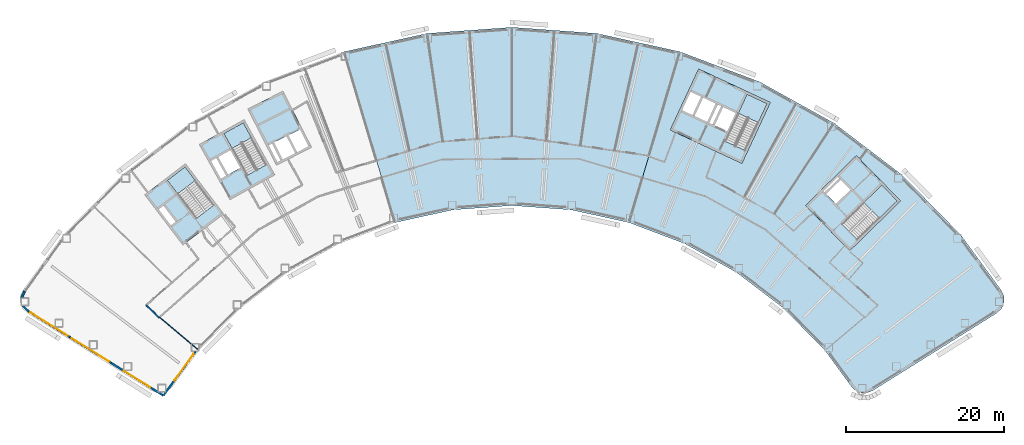
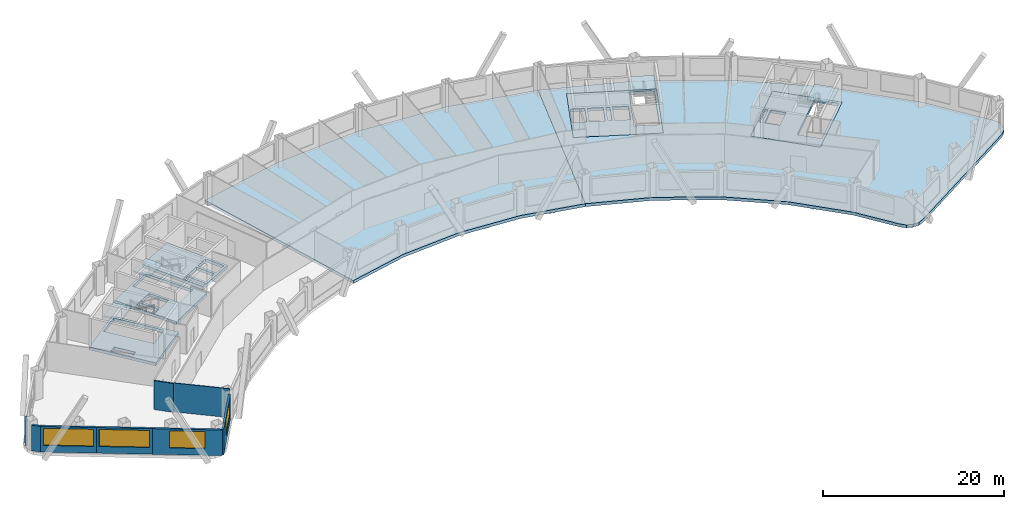
# One storey, part 2 of 11: 11 slabs, 8 walls, 4 windows, 4 openings, 4 elements without a shape of their own.
"""IFC4 building model written with IfcOpenShell, lengths in metres."""

from ifc_helpers import new_model, si_unit, direction, frame, frame_2d, origin, place, context, subcontext, project, spatial, polyline, rectangle, outline, extrude, material, layer, layer_set, type_object, element, fill, aggregate, save


model = new_model("IFC4")

# Units and contexts
model_context = context("Model", 3, precision=1e-05, world=origin(), true_north=direction((0.0, 1.0)))
body_context = subcontext(model_context, "Body", "Model", "MODEL_VIEW")
ifc_project = project(units=[si_unit("LENGTHUNIT", "METRE"), si_unit("AREAUNIT", "SQUARE_METRE"), si_unit("VOLUMEUNIT", "CUBIC_METRE"), si_unit("PLANEANGLEUNIT", "RADIAN"), si_unit("MASSUNIT", "GRAM", prefix="KILO")], contexts=[model_context])

# Site, building, storey
site_placement = place(None, origin())
site = spatial("IfcSite", under=ifc_project, at=site_placement, CompositionType="ELEMENT")
building_placement = place(site_placement, origin())
building = spatial("IfcBuilding", under=site, at=building_placement, Name="Tuul Gate Civic Tower", CompositionType="ELEMENT")
storey_placement = place(building_placement, frame((0.0, 0.0, 138.199951171875)))
storey = spatial("IfcBuildingStorey", under=building, at=storey_placement, Name="Level 31", CompositionType="ELEMENT", Elevation=138.199951171875)

# Slabs
ifc_material_1 = material(Name="Concrete C40/50", Category="concrete")
ifc_layer_1 = layer(ifc_material_1, 0.39990234375)
ifc_layer_set_1 = layer_set([ifc_layer_1], Name="Concrete C40/50")
slab_type_1 = type_object("IfcSlabType", Name="Core floor slab 400", PredefinedType="FLOOR", material=ifc_layer_set_1)
slab_1_placement = place(storey_placement, frame((0.0, 0.0, -0.400146484375)))
element("IfcSlab", 1, at=slab_1_placement, inside=storey, type_object=slab_type_1, Name="FLOOR SLAB", PredefinedType="FLOOR", context=body_context, shape_type="SweptSolid", body=[
    extrude(outline(polyline([(-31.10009765625, -13.7890625), (-35.946044921875, -7.423828125), (-41.11767578125, -11.361572265625), (-36.271484375, -17.726806640625), (-31.10009765625, -13.7890625)]), holes=[polyline([(-37.19287109375, -14.783203125), (-38.737548828125, -12.75439453125), (-39.45361328125, -13.299560546875), (-37.908935546875, -15.328369140625), (-37.19287109375, -14.783203125)]), polyline([(-32.33935546875, -12.65771484375), (-34.56591796875, -14.352783203125), (-38.229736328125, -9.54052734375), (-36.003173828125, -7.845458984375), (-32.33935546875, -12.65771484375)])]), origin(), (0.0, 0.0, 1.0), 0.400146484375),
])
slab_2_placement = place(storey_placement, frame((0.0, 0.0, -0.400146484375)))
element("IfcSlab", 2, at=slab_2_placement, inside=storey, type_object=slab_type_1, Name="FLOOR SLAB", PredefinedType="FLOOR", context=body_context, shape_type="SweptSolid", body=[
    extrude(outline(polyline([(-24.638916015625, -8.846923828125), (-28.51708984375, -1.849853515625), (-34.2021484375, -5.0009765625), (-30.32421875, -11.998046875), (-24.638916015625, -8.846923828125)]), holes=[polyline([(-29.0185546875, -7.958740234375), (-30.254638671875, -5.728515625), (-31.785400390625, -6.576904296875), (-30.54931640625, -8.80712890625), (-29.0185546875, -7.958740234375)]), polyline([(-30.8115234375, -8.95263671875), (-32.047607421875, -6.72216796875), (-32.8349609375, -7.158447265625), (-31.5986328125, -9.388916015625), (-30.8115234375, -8.95263671875)]), polyline([(-25.702392578125, -7.548828125), (-28.14990234375, -8.905517578125), (-31.08203125, -3.615234375), (-28.63427734375, -2.2587890625), (-25.702392578125, -7.548828125)])]), origin(), (0.0, 0.0, 1.0), 0.400146484375),
])
slab_3_placement = place(storey_placement, frame((0.0, 0.0, -0.400146484375)))
element("IfcSlab", 3, at=slab_3_placement, inside=storey, type_object=slab_type_1, Name="FLOOR SLAB", PredefinedType="FLOOR", context=body_context, shape_type="SweptSolid", body=[
    extrude(outline(polyline([(48.117919921875, -18.43310546875), (54.545166015625, -12.1328125), (48.945068359375, -6.419921875), (42.517822265625, -12.719970703125), (48.117919921875, -18.43310546875)]), holes=[polyline([(46.373779296875, -12.510986328125), (48.19482421875, -10.725830078125), (46.969970703125, -9.47607421875), (45.14892578125, -11.26123046875), (46.373779296875, -12.510986328125)]), polyline([(44.93896484375, -11.046875), (46.760009765625, -9.261962890625), (46.514892578125, -9.011962890625), (44.69384765625, -10.797119140625), (44.93896484375, -11.046875)]), polyline([(49.086181640625, -17.062744140625), (47.12744140625, -15.064208984375), (52.160888671875, -10.130126953125), (54.11962890625, -12.128662109375), (49.086181640625, -17.062744140625)])]), origin(), (0.0, 0.0, 1.0), 0.400146484375),
])
slab_4_placement = place(storey_placement, frame((0.0, 0.0, -0.400146484375)))
element("IfcSlab", 4, at=slab_4_placement, inside=storey, type_object=slab_type_1, Name="FLOOR SLAB", PredefinedType="FLOOR", context=body_context, shape_type="SweptSolid", body=[
    extrude(outline(polyline([(34.465087890625, -7.385986328125), (38.056884765625, 0.31787109375), (28.993896484375, 4.543701171875), (25.40185546875, -3.159912109375), (34.465087890625, -7.385986328125)]), holes=[polyline([(32.60888671875, -3.32080078125), (33.6865234375, -1.009765625), (32.1005859375, -0.27001953125), (31.02294921875, -2.581298828125), (32.60888671875, -3.32080078125)]), polyline([(30.0712890625, -2.137451171875), (31.14892578125, 0.173583984375), (29.562744140625, 0.9130859375), (28.4853515625, -1.39794921875), (30.0712890625, -2.137451171875)]), polyline([(30.751220703125, -2.454345703125), (31.82861328125, -0.143310546875), (31.4208984375, 0.046875), (30.34326171875, -2.264404296875), (30.751220703125, -2.454345703125)]), polyline([(28.21337890625, -1.27099609375), (29.291015625, 1.0400390625), (27.8408203125, 1.71630859375), (26.76318359375, -0.594970703125), (28.21337890625, -1.27099609375)]), polyline([(34.889892578125, -5.7626953125), (32.353759765625, -4.580078125), (35.120849609375, 1.354736328125), (37.6572265625, 0.17236328125), (34.889892578125, -5.7626953125)])]), origin(), (0.0, 0.0, 1.0), 0.400146484375),
])
ifc_material_2 = material(Name="Concrete C40/50", Category="concrete")
ifc_layer_2 = layer(ifc_material_2, 0.39990234375)
ifc_layer_set_2 = layer_set([ifc_layer_2], Name="Concrete C40/50")
slab_type_2 = type_object("IfcSlabType", Name="Core floor slab 400 non-bearing", PredefinedType="FLOOR", material=ifc_layer_set_2)
slab_5_placement = place(storey_placement, frame((0.0, 0.0, -0.400146484375)))
element("IfcSlab", 5, at=slab_5_placement, inside=storey, type_object=slab_type_2, Name="FLOOR SLAB", PredefinedType="FLOOR", context=body_context, shape_type="SweptSolid", body=[
    extrude(outline(polyline([(-19.98095703125, -5.365966796875), (-23.613037109375, 1.761962890625), (-28.068115234375, -0.508056640625), (-24.43603515625, -7.635986328125), (-19.98095703125, -5.365966796875)]), holes=[polyline([(-20.384521484375, -5.23486328125), (-21.47412109375, -3.096435546875), (-22.899658203125, -3.822998046875), (-21.81005859375, -5.961181640625), (-20.384521484375, -5.23486328125)]), polyline([(-22.077392578125, -6.097412109375), (-23.1669921875, -3.958984375), (-24.726318359375, -4.753662109375), (-23.63671875, -6.89208984375), (-22.077392578125, -6.097412109375)]), polyline([(-23.8359375, -7.161865234375), (-24.99365234375, -4.889892578125), (-25.5283203125, -5.162109375), (-24.37060546875, -7.434326171875), (-23.8359375, -7.161865234375)])]), origin(), (0.0, 0.0, 1.0), 0.400146484375),
])

# Stair, slab
ifc_material_3 = material(Name="Concrete C40/50", Category="concrete")
stair_type = type_object("IfcStairType", Name="Exit stair", PredefinedType="HALF_TURN_STAIR", material=ifc_material_3)
stair_1_placement = place(storey_placement, origin())
stair_1 = element("IfcStair", 6, at=stair_1_placement, inside=storey, type_object=stair_type, Name="Level 31 ST-1", PredefinedType="HALF_TURN_STAIR")
ifc_material_4 = material(Name="Concrete C40/50", Category="concrete")
ifc_layer_3 = layer(ifc_material_4, 0.199951171875)
ifc_layer_set_3 = layer_set([ifc_layer_3], Name="Concrete C40/50")
slab_type_3 = type_object("IfcSlabType", Name="Exit stair landing", PredefinedType="LANDING", material=ifc_layer_set_3)
slab_6_placement = place(storey_placement, frame((0.0, 0.0, 1.900146484375)))
slab_6 = element("IfcSlab", 7, at=slab_6_placement, type_object=slab_type_3, Name="ST-1 landing 1", PredefinedType="LANDING", context=body_context, shape_type="SweptSolid", body=[
    extrude(outline(polyline([(-34.699462890625, -9.554931640625), (-36.9287109375, -11.252197265625), (-38.23193359375, -9.540283203125), (-36.0029296875, -7.843017578125), (-34.699462890625, -9.554931640625)])), origin(), (0.0, 0.0, 1.0), 0.199951171875),
])
aggregate(stair_1, [slab_6])

stair_2_placement = place(storey_placement, origin())
stair_2 = element("IfcStair", 8, at=stair_2_placement, inside=storey, type_object=stair_type, Name="Level 31 ST-2", PredefinedType="HALF_TURN_STAIR")
slab_7_placement = place(storey_placement, frame((0.0, 0.0, 1.900146484375)))
slab_7 = element("IfcSlab", 9, at=slab_7_placement, type_object=slab_type_3, Name="ST-2 landing 1", PredefinedType="LANDING", context=body_context, shape_type="SweptSolid", body=[
    extrude(outline(polyline([(-27.5908203125, -4.138427734375), (-30.041015625, -5.49658203125), (-31.084228515625, -3.61474609375), (-28.6337890625, -2.256591796875), (-27.5908203125, -4.138427734375)])), origin(), (0.0, 0.0, 1.0), 0.199951171875),
])
aggregate(stair_2, [slab_7])

stair_3_placement = place(storey_placement, origin())
stair_3 = element("IfcStair", 10, at=stair_3_placement, inside=storey, type_object=stair_type, Name="Level 31 ST-3", PredefinedType="HALF_TURN_STAIR")
slab_8_placement = place(storey_placement, frame((0.0, 0.0, 1.900146484375)))
slab_8 = element("IfcSlab", 11, at=slab_8_placement, type_object=slab_type_3, Name="ST-3 landing 1", PredefinedType="LANDING", context=body_context, shape_type="SweptSolid", body=[
    extrude(outline(polyline([(51.871337890625, -14.3349609375), (49.91015625, -12.334228515625), (52.160888671875, -10.1279296875), (54.1220703125, -12.128662109375), (51.871337890625, -14.3349609375)])), origin(), (0.0, 0.0, 1.0), 0.199951171875),
])
aggregate(stair_3, [slab_8])

stair_4_placement = place(storey_placement, origin())
stair_4 = element("IfcStair", 12, at=stair_4_placement, inside=storey, type_object=stair_type, Name="Level 31 ST-4", PredefinedType="HALF_TURN_STAIR")
slab_9_placement = place(storey_placement, frame((0.0, 0.0, 1.900146484375)))
slab_9 = element("IfcSlab", 13, at=slab_9_placement, type_object=slab_type_3, Name="ST-4 landing 1", PredefinedType="LANDING", context=body_context, shape_type="SweptSolid", body=[
    extrude(outline(polyline([(36.538818359375, -2.230224609375), (33.999755859375, -1.046142578125), (35.1201171875, 1.35693359375), (37.659423828125, 0.173095703125), (36.538818359375, -2.230224609375)])), origin(), (0.0, 0.0, 1.0), 0.199951171875),
])
aggregate(stair_4, [slab_9])

# Slabs
ifc_material_5 = material(Name="Concrete C35/45", Category="concrete")
ifc_layer_4 = layer(ifc_material_5, 0.39990234375)
ifc_layer_set_4 = layer_set([ifc_layer_4], Name="Concrete C35/45")
slab_type_4 = type_object("IfcSlabType", Name="STR-FLOOR-SLAB-400", PredefinedType="FLOOR", material=ifc_layer_set_4)
slab_10_placement = place(storey_placement, frame((0.0, 0.0, -0.400146484375)))
element("IfcSlab", 14, at=slab_10_placement, inside=storey, type_object=slab_type_4, Name="Level 31/slab/M", PredefinedType="FLOOR", context=body_context, shape_type="SweptSolid", body=[
    extrude(outline(polyline([(20.18798828125, -14.883056640625), (26.6220703125, 6.739013671875), (16.110107421875, 9.054931640625), (5.3740234375, 9.8330078125), (-5.362060546875, 9.054931640625), (-15.8740234375, 6.739013671875), (-9.43994140625, -14.883056640625), (-2.111083984375, -13.26806640625), (5.3740234375, -12.72607421875), (12.85888671875, -13.26806640625), (20.18798828125, -14.883056640625)])), origin(), (0.0, 0.0, 1.0), 0.400146484375),
])
slab_11_placement = place(storey_placement, frame((0.0, 0.0, -0.400146484375)))
element("IfcSlab", 15, at=slab_11_placement, inside=storey, type_object=slab_type_4, Name="Level 31/slab/E", PredefinedType="FLOOR", context=body_context, shape_type="SweptSolid", body=[
    extrude(outline(polyline([(50.305908203125, -36.427001953125), (51.0, -36.156005859375), (66.72998046875, -26.326904296875), (67.319091796875, -25.762939453125), (67.634033203125, -25.010009765625), (67.6220703125, -24.195068359375), (67.284912109375, -23.451904296875), (62.205078125, -16.4951171875), (54.669921875, -8.80810546875), (46.10498046875, -2.287109375), (36.69091796875, 2.930908203125), (26.6220703125, 6.739013671875), (20.18798828125, -14.883056640625), (27.2080078125, -17.5380859375), (33.77197265625, -21.176025390625), (39.742919921875, -25.721923828125), (44.99609375, -31.08203125), (48.324951171875, -35.639892578125), (48.868896484375, -36.14892578125), (49.56103515625, -36.424072265625), (50.305908203125, -36.427001953125)]), holes=[polyline([(48.117919921875, -18.43310546875), (42.51806640625, -12.719970703125), (48.945068359375, -6.419921875), (54.544921875, -12.133056640625), (48.117919921875, -18.43310546875)]), polyline([(25.402099609375, -3.159912109375), (28.993896484375, 4.5439453125), (38.056884765625, 0.318115234375), (34.465087890625, -7.385986328125), (25.402099609375, -3.159912109375)])]), origin(), (0.0, 0.0, 1.0), 0.400146484375),
])

# Walls
ifc_material_6 = material(Name="Gypsum board partition")
ifc_layer_5 = layer(ifc_material_6, 0.14990234375)
ifc_layer_set_5 = layer_set([ifc_layer_5], Name="Gypsum board partition")
wall_type_1 = type_object("IfcWallType", Name="Corridor wall P150", PredefinedType="PARTITIONING", material=ifc_layer_set_5)
wall_1_placement = place(storey_placement, frame((-40.899658203125, -25.33203125, 0.0), z_axis=(0.0, 0.0, 1.0), x_axis=(0.711595524891, -0.702589360121, 0.0)))
element("IfcWall", 16, at=wall_1_placement, inside=storey, type_object=wall_type_1, Name="p046", PredefinedType="PARTITIONING", context=body_context, shape_type="SweptSolid", body=[
    extrude(rectangle(XDim=2.25, YDim=0.14990234375, at=frame_2d((1.125, 0.0))), origin(), (0.0, 0.0, 1.0), 3.900146484375),
])
ifc_material_7 = material(Name="Precast concrete C40/50", Category="concrete")
ifc_layer_6 = layer(ifc_material_7, 0.25)
ifc_layer_set_6 = layer_set([ifc_layer_6], Name="Precast concrete C40/50")
wall_type_2 = type_object("IfcWallType", Name="External wall", PredefinedType="STANDARD", material=ifc_layer_set_6)
wall_2_placement = place(storey_placement, frame((-56.30224609375, -23.591796875, 0.0), z_axis=(0.0, 0.0, 1.0), x_axis=(-0.41355333093, -0.9104798968, 0.0)))
element("IfcWall", 17, at=wall_2_placement, inside=storey, type_object=wall_type_2, Name="External wall", PredefinedType="STANDARD", context=body_context, shape_type="SweptSolid", body=[
    extrude(rectangle(XDim=0.88427734375, YDim=0.25, at=frame_2d((0.442138671875, 0.0))), origin(), (0.0, 0.0, 1.0), 3.449951171875),
])
wall_3_placement = place(storey_placement, frame((-56.560546875, -25.39697265625, 0.0), z_axis=(0.0, 0.0, 1.0), x_axis=(0.722111514746, -0.691776669361, 0.0)))
element("IfcWall", 18, at=wall_3_placement, inside=storey, type_object=wall_type_2, Name="External wall", PredefinedType="STANDARD", context=body_context, shape_type="SweptSolid", body=[
    extrude(rectangle(XDim=1.0302734375, YDim=0.25, at=frame_2d((0.51513671875, 0.0))), origin(), (0.0, 0.0, 1.0), 3.449951171875),
])

# Wall, opening, window
wall_4_placement = place(storey_placement, frame((-55.836669921875, -26.093994140625, 0.0), z_axis=(0.0, 0.0, 1.0), x_axis=(0.848042669488, -0.529927948619, 0.0)))
wall_4 = element("IfcWall", 19, at=wall_4_placement, inside=storey, type_object=wall_type_2, Name="External wall", PredefinedType="STANDARD", context=body_context, shape_type="SweptSolid", body=[
    extrude(rectangle(XDim=6.1826171875, YDim=0.25, at=frame_2d((3.09130859375, 0.0))), origin(), (0.0, 0.0, 1.0), 3.449951171875),
])
opening_1_placement = place(wall_4_placement, frame((0.31640625, 0.0, 0.89990234375)))
opening_1 = element("IfcOpeningElement", 20, at=opening_1_placement, cuts=wall_4, Name="Opening W24", PredefinedType="OPENING", context=body_context, shape_type="SweptSolid", body=[
    extrude(rectangle(XDim=5.550048828125, YDim=2.300048828125, at=frame_2d((2.77490234375, 1.14990234375))), frame((0.0, 0.135009765625, 0.0), z_axis=(0.0, -1.0, 0.0), x_axis=(1.0, 0.0, 0.0)), (0.0, 0.0, 1.0), 0.27001953125),
])
ifc_material_8 = material(Name="Glass", Category="glass")
window_type_1 = type_object("IfcWindowType", Name="Window W24 5550 x 2300", PartitioningType="SINGLE_PANEL", PredefinedType="WINDOW", material=ifc_material_8)
window_1_placement = place(opening_1_placement, origin())
window_1 = element("IfcWindow", 21, at=window_1_placement, inside=storey, type_object=window_type_1, Name="Window", OverallHeight=2.300048828125, OverallWidth=5.550048828125, PartitioningType="SINGLE_PANEL", PredefinedType="WINDOW", context=body_context, shape_type="SweptSolid", body=[
    extrude(rectangle(XDim=5.550048828125, YDim=2.300048828125, at=frame_2d((2.77490234375, 1.14990234375))), frame((0.0, 0.030029296875, 0.0), z_axis=(0.0, -1.0, 0.0), x_axis=(1.0, 0.0, 0.0)), (0.0, 0.0, 1.0), 0.06005859375),
])
fill(opening_1, window_1)

wall_5_placement = place(storey_placement, frame((-50.593505859375, -29.370361328125, 0.0), z_axis=(0.0, 0.0, 1.0), x_axis=(0.848053758074, -0.529910203164, 0.0)))
wall_5 = element("IfcWall", 22, at=wall_5_placement, inside=storey, type_object=wall_type_2, Name="External wall", PredefinedType="STANDARD", context=body_context, shape_type="SweptSolid", body=[
    extrude(rectangle(XDim=6.182861328125, YDim=0.25, at=frame_2d((3.09130859375, 0.0))), origin(), (0.0, 0.0, 1.0), 3.449951171875),
])
opening_2_placement = place(wall_5_placement, frame((0.31640625, 0.0, 0.89990234375)))
opening_2 = element("IfcOpeningElement", 23, at=opening_2_placement, cuts=wall_5, Name="Opening W24", PredefinedType="OPENING", context=body_context, shape_type="SweptSolid", body=[
    extrude(rectangle(XDim=5.550048828125, YDim=2.300048828125, at=frame_2d((2.77490234375, 1.14990234375))), frame((0.0, 0.135009765625, 0.0), z_axis=(0.0, -1.0, 0.0), x_axis=(1.0, 0.0, 0.0)), (0.0, 0.0, 1.0), 0.27001953125),
])
window_2_placement = place(opening_2_placement, origin())
window_2 = element("IfcWindow", 24, at=window_2_placement, inside=storey, type_object=window_type_1, Name="Window", OverallHeight=2.300048828125, OverallWidth=5.550048828125, PartitioningType="SINGLE_PANEL", PredefinedType="WINDOW", context=body_context, shape_type="SweptSolid", body=[
    extrude(rectangle(XDim=5.550048828125, YDim=2.300048828125, at=frame_2d((2.77490234375, 1.14990234375))), frame((0.0, 0.030029296875, 0.0), z_axis=(0.0, -1.0, 0.0), x_axis=(1.0, 0.0, 0.0)), (0.0, 0.0, 1.0), 0.06005859375),
])
fill(opening_2, window_2)

wall_6_placement = place(storey_placement, frame((-45.35009765625, -32.646728515625, 0.0), z_axis=(0.0, 0.0, 1.0), x_axis=(0.848051131154, -0.529914407191, 0.0)))
wall_6 = element("IfcWall", 25, at=wall_6_placement, inside=storey, type_object=wall_type_2, Name="External wall", PredefinedType="STANDARD", context=body_context, shape_type="SweptSolid", body=[
    extrude(rectangle(XDim=7.788330078125, YDim=0.25, at=frame_2d((3.89404296875, 0.0))), origin(), (0.0, 0.0, 1.0), 3.449951171875),
])
opening_3_placement = place(wall_6_placement, frame((1.89697265625, 0.0, 0.89990234375)))
opening_3 = element("IfcOpeningElement", 26, at=opening_3_placement, cuts=wall_6, Name="Opening W113", PredefinedType="OPENING", context=body_context, shape_type="SweptSolid", body=[
    extrude(rectangle(XDim=3.949951171875, YDim=2.300048828125, at=frame_2d((1.97509765625, 1.14990234375))), frame((0.0, 0.135009765625, 0.0), z_axis=(0.0, -1.0, 0.0), x_axis=(1.0, 0.0, 0.0)), (0.0, 0.0, 1.0), 0.27001953125),
])
ifc_material_9 = material(Name="Glass", Category="glass")
window_type_2 = type_object("IfcWindowType", Name="Window W113 3950 x 2300", PartitioningType="SINGLE_PANEL", PredefinedType="WINDOW", material=ifc_material_9)
window_3_placement = place(opening_3_placement, origin())
window_3 = element("IfcWindow", 27, at=window_3_placement, inside=storey, type_object=window_type_2, Name="Window", OverallHeight=2.300048828125, OverallWidth=3.949951171875, PartitioningType="SINGLE_PANEL", PredefinedType="WINDOW", context=body_context, shape_type="SweptSolid", body=[
    extrude(rectangle(XDim=3.949951171875, YDim=2.300048828125, at=frame_2d((1.97509765625, 1.14990234375))), frame((0.0, 0.030029296875, 0.0), z_axis=(0.0, -1.0, 0.0), x_axis=(1.0, 0.0, 0.0)), (0.0, 0.0, 1.0), 0.06005859375),
])
fill(opening_3, window_3)

wall_7_placement = place(storey_placement, frame((-38.7451171875, -36.77392578125, 0.0), z_axis=(0.0, 0.0, 1.0), x_axis=(0.589748164831, 0.8075872102, 0.0)))
wall_7 = element("IfcWall", 28, at=wall_7_placement, inside=storey, type_object=wall_type_2, Name="External wall", PredefinedType="STANDARD", context=body_context, shape_type="SweptSolid", body=[
    extrude(rectangle(XDim=6.910400390625, YDim=0.25, at=frame_2d((3.455078125, 0.0))), origin(), (0.0, 0.0, 1.0), 3.449951171875),
])
opening_4_placement = place(wall_7_placement, frame((2.356689453125, 0.0, 0.89990234375)))
opening_4 = element("IfcOpeningElement", 29, at=opening_4_placement, cuts=wall_7, Name="Opening W25", PredefinedType="OPENING", context=body_context, shape_type="SweptSolid", body=[
    extrude(rectangle(XDim=4.14990234375, YDim=2.300048828125, at=frame_2d((2.074951171875, 1.14990234375))), frame((0.0, 0.135009765625, 0.0), z_axis=(0.0, -1.0, 0.0), x_axis=(1.0, 0.0, 0.0)), (0.0, 0.0, 1.0), 0.27001953125),
])
ifc_material_10 = material(Name="Glass", Category="glass")
window_type_3 = type_object("IfcWindowType", Name="Window W25 4150 x 2300", PartitioningType="SINGLE_PANEL", PredefinedType="WINDOW", material=ifc_material_10)
window_4_placement = place(opening_4_placement, origin())
window_4 = element("IfcWindow", 30, at=window_4_placement, inside=storey, type_object=window_type_3, Name="Window", OverallHeight=2.300048828125, OverallWidth=4.14990234375, PartitioningType="SINGLE_PANEL", PredefinedType="WINDOW", context=body_context, shape_type="SweptSolid", body=[
    extrude(rectangle(XDim=4.14990234375, YDim=2.300048828125, at=frame_2d((2.074951171875, 1.14990234375))), frame((0.0, 0.030029296875, 0.0), z_axis=(0.0, -1.0, 0.0), x_axis=(1.0, 0.0, 0.0)), (0.0, 0.0, 1.0), 0.06005859375),
])
fill(opening_4, window_4)

# Wall
ifc_material_11 = material(Name="Gypsum board partition")
ifc_layer_7 = layer(ifc_material_11, 0.10009765625)
ifc_layer_set_7 = layer_set([ifc_layer_7], Name="Gypsum board partition")
wall_type_3 = type_object("IfcWallType", Name="Partition P100", PredefinedType="PARTITIONING", material=ifc_layer_set_7)
wall_8_placement = place(storey_placement, frame((-39.23388671875, -26.855712890625, 0.0), z_axis=(0.0, 0.0, 1.0), x_axis=(0.762815458865, -0.646616250736, 0.0)))
element("IfcWall", 31, at=wall_8_placement, inside=storey, type_object=wall_type_3, Name="p045", PredefinedType="PARTITIONING", context=body_context, shape_type="SweptSolid", body=[
    extrude(rectangle(XDim=6.265380859375, YDim=0.10009765625, at=frame_2d((3.1328125, 0.0))), origin(), (0.0, 0.0, 1.0), 3.900146484375),
])

save(model, "model.ifc")
